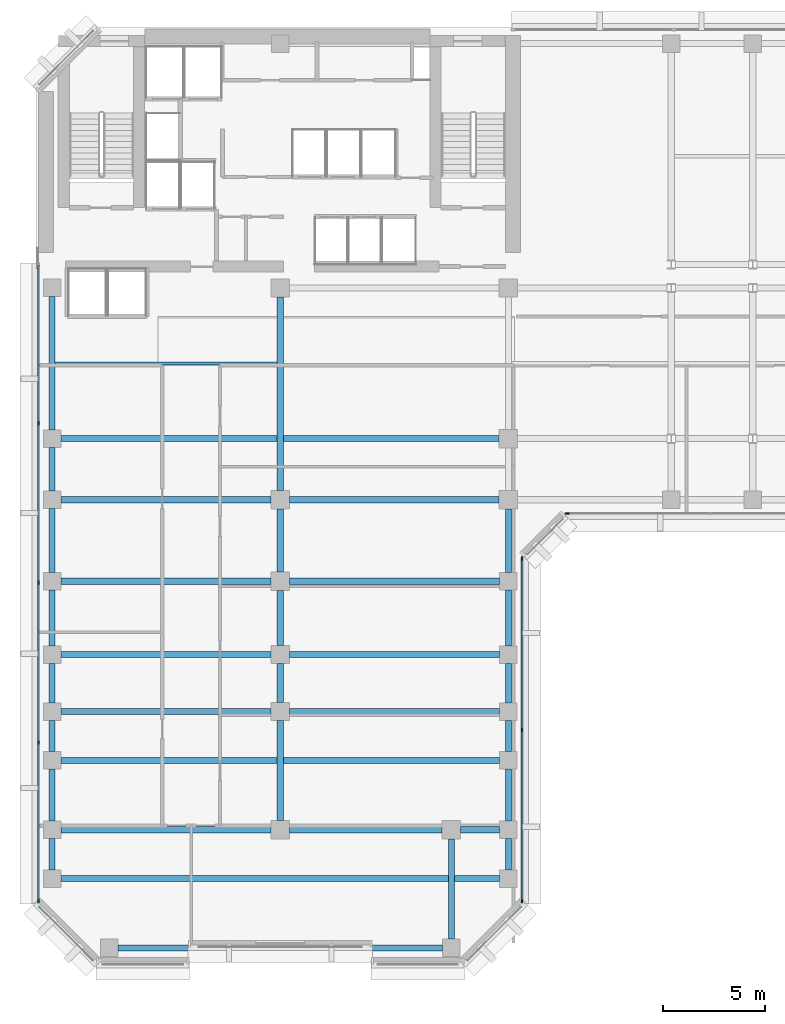
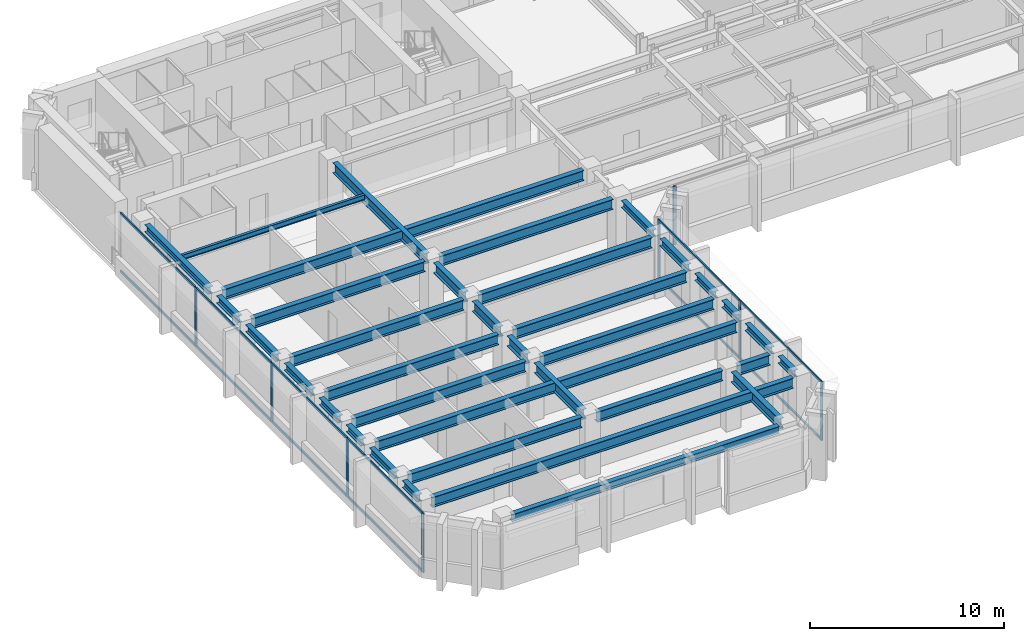
# One storey, part 2 of 11: 36 beams, 20 members, 3 elements without a shape of their own.
"""IFC4 building model written with IfcOpenShell, lengths in metres."""

from ifc_helpers import new_model, si_unit, direction, frame, origin, origin_2d, place, context, subcontext, project, spatial, rectangle, i_section, extrude, material, layer, layer_set, material_profile, profile_set, type_object, element, aggregate, save


model = new_model("IFC4")

# Units and contexts
model_context = context("Model", 3, precision=1e-05, world=origin(), true_north=direction((0.0, 1.0)))
body_context = subcontext(model_context, "Body", "Model", "MODEL_VIEW")
ifc_project = project(units=[si_unit("LENGTHUNIT", "METRE"), si_unit("AREAUNIT", "SQUARE_METRE"), si_unit("VOLUMEUNIT", "CUBIC_METRE"), si_unit("PLANEANGLEUNIT", "RADIAN"), si_unit("MASSUNIT", "GRAM", prefix="KILO")], contexts=[model_context])

# Site, building, storey
site_placement = place(None, origin())
site = spatial("IfcSite", under=ifc_project, at=site_placement, CompositionType="ELEMENT")
building_placement = place(site_placement, origin())
building = spatial("IfcBuilding", under=site, at=building_placement, Name="Kefirva Bronze Tower", CompositionType="ELEMENT")
storey_placement = place(building_placement, frame((0.0, 0.0, 146.85009765625)))
storey = spatial("IfcBuildingStorey", under=building, at=storey_placement, Name="L35", CompositionType="ELEMENT", Elevation=146.85009765625)

# Curtain wall, members
ifc_material_1 = material(Name="Bronze anodised aluminium", Category="aluminium")
ifc_layer = layer(ifc_material_1, 0.199951171875, Name="Bronze anodised aluminium")
ifc_layer_set = layer_set([ifc_layer], Name="Bronze anodised aluminium")
curtain_wall_type = type_object("IfcCurtainWallType", Name="Unitised Bronze Ribbon Curtain Wall Zone 2", PredefinedType="USERDEFINED", material=ifc_layer_set)
curtain_wall_1_placement = place(storey_placement, origin())
curtain_wall_1 = element("IfcCurtainWall", 1, at=curtain_wall_1_placement, inside=storey, type_object=curtain_wall_type, Name="L35 Curtain Wall 1", ObjectType="UNITISED CURTAIN WALL", PredefinedType="USERDEFINED")
ifc_material_profile_1 = material_profile(ifc_material_1, rectangle(XDim=0.074951171875, YDim=0.179931640625, at=origin_2d()), Name="ALU 75x180")
ifc_profile_set_1 = profile_set([ifc_material_profile_1], Name="Bronze anodised aluminium")
member_type_1 = type_object("IfcMemberType", Name="Bronze Mullion 75x180", PredefinedType="MULLION", material=ifc_profile_set_1)
member_1_placement = place(storey_placement, frame((23.8798828125, 3.092529296875, 0.0), z_axis=(0.0, 0.0, 1.0), x_axis=(-1.0, 0.0, 0.0)))
member_1 = element("IfcMember", 2, at=member_1_placement, type_object=member_type_1, Name="CW-02 mullion 1", PredefinedType="MULLION", context=body_context, shape_type="SweptSolid", body=[
    extrude(rectangle(XDim=0.074951171875, YDim=0.179931640625, at=origin_2d()), origin(), (0.0, 0.0, 1.0), 3.7099609375),
])
member_2_placement = place(storey_placement, frame((23.8798828125, 11.5, 0.0), z_axis=(0.0, 0.0, 1.0), x_axis=(-1.0, 0.0, 0.0)))
member_2 = element("IfcMember", 3, at=member_2_placement, type_object=member_type_1, Name="CW-02 mullion 2", PredefinedType="MULLION", context=body_context, shape_type="SweptSolid", body=[
    extrude(rectangle(XDim=0.074951171875, YDim=0.179931640625, at=origin_2d()), origin(), (0.0, 0.0, 1.0), 3.7099609375),
])
member_3_placement = place(storey_placement, frame((23.8798828125, 19.907470703125, 0.0), z_axis=(0.0, 0.0, 1.0), x_axis=(-1.0, 0.0, 0.0)))
member_3 = element("IfcMember", 4, at=member_3_placement, type_object=member_type_1, Name="CW-02 mullion 3", PredefinedType="MULLION", context=body_context, shape_type="SweptSolid", body=[
    extrude(rectangle(XDim=0.074951171875, YDim=0.179931640625, at=origin_2d()), origin(), (0.0, 0.0, 1.0), 3.7099609375),
])

# Curtain wall, member
curtain_wall_2_placement = place(storey_placement, origin())
curtain_wall_2 = element("IfcCurtainWall", 5, at=curtain_wall_2_placement, inside=storey, type_object=curtain_wall_type, Name="L35 Curtain Wall 2", ObjectType="UNITISED CURTAIN WALL", PredefinedType="USERDEFINED")
member_4_placement = place(storey_placement, frame((26.092529296875, 22.1201171875, 0.0), z_axis=(0.0, 0.0, 1.0), x_axis=(0.0, 1.0, 0.0)))
member_4 = element("IfcMember", 6, at=member_4_placement, type_object=member_type_1, Name="CW-02 mullion 1", PredefinedType="MULLION", context=body_context, shape_type="SweptSolid", body=[
    extrude(rectangle(XDim=0.074951171875, YDim=0.179931640625, at=origin_2d()), origin(), (0.0, 0.0, 1.0), 3.7099609375),
])
aggregate(curtain_wall_2, [member_4])

# Curtain wall, members
curtain_wall_3_placement = place(storey_placement, origin())
curtain_wall_3 = element("IfcCurtainWall", 7, at=curtain_wall_3_placement, inside=storey, type_object=curtain_wall_type, Name="L35 Curtain Wall 5", ObjectType="UNITISED CURTAIN WALL", PredefinedType="USERDEFINED")
member_5_placement = place(storey_placement, frame((0.1201171875, 26.56005859375, 0.0), z_axis=(0.0, 0.0, 1.0), x_axis=(1.0, 0.0, 0.0)))
member_5 = element("IfcMember", 8, at=member_5_placement, type_object=member_type_1, Name="CW-02 mullion 2", PredefinedType="MULLION", context=body_context, shape_type="SweptSolid", body=[
    extrude(rectangle(XDim=0.074951171875, YDim=0.179931640625, at=origin_2d()), origin(), (0.0, 0.0, 1.0), 3.7099609375),
])
member_6_placement = place(storey_placement, frame((0.1201171875, 18.72509765625, 0.0), z_axis=(0.0, 0.0, 1.0), x_axis=(1.0, 0.0, 0.0)))
member_6 = element("IfcMember", 9, at=member_6_placement, type_object=member_type_1, Name="CW-02 mullion 3", PredefinedType="MULLION", context=body_context, shape_type="SweptSolid", body=[
    extrude(rectangle(XDim=0.074951171875, YDim=0.179931640625, at=origin_2d()), origin(), (0.0, 0.0, 1.0), 3.7099609375),
])
member_7_placement = place(storey_placement, frame((0.1201171875, 10.889892578125, 0.0), z_axis=(0.0, 0.0, 1.0), x_axis=(1.0, 0.0, 0.0)))
member_7 = element("IfcMember", 10, at=member_7_placement, type_object=member_type_1, Name="CW-02 mullion 4", PredefinedType="MULLION", context=body_context, shape_type="SweptSolid", body=[
    extrude(rectangle(XDim=0.074951171875, YDim=0.179931640625, at=origin_2d()), origin(), (0.0, 0.0, 1.0), 3.7099609375),
])
member_8_placement = place(storey_placement, frame((0.1201171875, 3.092529296875, 0.0), z_axis=(0.0, 0.0, 1.0), x_axis=(1.0, 0.0, 0.0)))
member_8 = element("IfcMember", 11, at=member_8_placement, type_object=member_type_1, Name="CW-02 mullion 5", PredefinedType="MULLION", context=body_context, shape_type="SweptSolid", body=[
    extrude(rectangle(XDim=0.074951171875, YDim=0.179931640625, at=origin_2d()), origin(), (0.0, 0.0, 1.0), 3.7099609375),
])

# Member
ifc_material_profile_2 = material_profile(ifc_material_1, rectangle(XDim=0.074951171875, YDim=0.14990234375, at=origin_2d()), Name="ALU 75x150")
ifc_profile_set_2 = profile_set([ifc_material_profile_2], Name="Bronze anodised aluminium")
member_type_2 = type_object("IfcMemberType", Name="Bronze Transom 75x150", PredefinedType="USERDEFINED", material=ifc_profile_set_2)
member_9_placement = place(storey_placement, frame((23.8798828125, 3.1298828125, 0.037353515625), z_axis=(0.0, 1.0, 0.0), x_axis=(-1.0, 0.0, 0.0)))
member_9 = element("IfcMember", 12, at=member_9_placement, type_object=member_type_2, Name="CW-02 transom 1.1", ObjectType="TRANSOM", PredefinedType="USERDEFINED", context=body_context, shape_type="SweptSolid", body=[
    extrude(rectangle(XDim=0.074951171875, YDim=0.14990234375, at=origin_2d()), origin(), (0.0, 0.0, 1.0), 8.33251953125),
])

member_10_placement = place(storey_placement, frame((23.8798828125, 3.1298828125, 3.67236328125), z_axis=(0.0, 1.0, 0.0), x_axis=(-1.0, 0.0, 0.0)))
member_10 = element("IfcMember", 13, at=member_10_placement, type_object=member_type_2, Name="CW-02 transom 1.2", ObjectType="TRANSOM", PredefinedType="USERDEFINED", context=body_context, shape_type="SweptSolid", body=[
    extrude(rectangle(XDim=0.074951171875, YDim=0.14990234375, at=origin_2d()), origin(), (0.0, 0.0, 1.0), 8.33251953125),
])

member_11_placement = place(storey_placement, frame((23.8798828125, 11.53759765625, 0.037353515625), z_axis=(0.0, 1.0, 0.0), x_axis=(-1.0, 0.0, 0.0)))
member_11 = element("IfcMember", 14, at=member_11_placement, type_object=member_type_2, Name="CW-02 transom 2.1", ObjectType="TRANSOM", PredefinedType="USERDEFINED", context=body_context, shape_type="SweptSolid", body=[
    extrude(rectangle(XDim=0.074951171875, YDim=0.14990234375, at=origin_2d()), origin(), (0.0, 0.0, 1.0), 8.33251953125),
])

member_12_placement = place(storey_placement, frame((23.8798828125, 11.53759765625, 3.67236328125), z_axis=(0.0, 1.0, 0.0), x_axis=(-1.0, 0.0, 0.0)))
member_12 = element("IfcMember", 15, at=member_12_placement, type_object=member_type_2, Name="CW-02 transom 2.2", ObjectType="TRANSOM", PredefinedType="USERDEFINED", context=body_context, shape_type="SweptSolid", body=[
    extrude(rectangle(XDim=0.074951171875, YDim=0.14990234375, at=origin_2d()), origin(), (0.0, 0.0, 1.0), 8.33251953125),
])

aggregate(curtain_wall_1, [member_1, member_2, member_3, member_9, member_10, member_11, member_12])

member_13_placement = place(storey_placement, frame((0.1201171875, 34.320068359375, 0.037353515625), z_axis=(0.0, -1.0, 0.0), x_axis=(1.0, 0.0, 0.0)))
member_13 = element("IfcMember", 16, at=member_13_placement, type_object=member_type_2, Name="CW-02 transom 1.1", ObjectType="TRANSOM", PredefinedType="USERDEFINED", context=body_context, shape_type="SweptSolid", body=[
    extrude(rectangle(XDim=0.074951171875, YDim=0.14990234375, at=origin_2d()), origin(), (0.0, 0.0, 1.0), 7.72265625),
])

member_14_placement = place(storey_placement, frame((0.1201171875, 34.320068359375, 3.67236328125), z_axis=(0.0, -1.0, 0.0), x_axis=(1.0, 0.0, 0.0)))
member_14 = element("IfcMember", 17, at=member_14_placement, type_object=member_type_2, Name="CW-02 transom 1.2", ObjectType="TRANSOM", PredefinedType="USERDEFINED", context=body_context, shape_type="SweptSolid", body=[
    extrude(rectangle(XDim=0.074951171875, YDim=0.14990234375, at=origin_2d()), origin(), (0.0, 0.0, 1.0), 7.72265625),
])

member_15_placement = place(storey_placement, frame((0.1201171875, 26.5224609375, 0.037353515625), z_axis=(0.0, -1.0, 0.0), x_axis=(1.0, 0.0, 0.0)))
member_15 = element("IfcMember", 18, at=member_15_placement, type_object=member_type_2, Name="CW-02 transom 2.1", ObjectType="TRANSOM", PredefinedType="USERDEFINED", context=body_context, shape_type="SweptSolid", body=[
    extrude(rectangle(XDim=0.074951171875, YDim=0.14990234375, at=origin_2d()), origin(), (0.0, 0.0, 1.0), 7.760009765625),
])

member_16_placement = place(storey_placement, frame((0.1201171875, 26.5224609375, 3.67236328125), z_axis=(0.0, -1.0, 0.0), x_axis=(1.0, 0.0, 0.0)))
member_16 = element("IfcMember", 19, at=member_16_placement, type_object=member_type_2, Name="CW-02 transom 2.2", ObjectType="TRANSOM", PredefinedType="USERDEFINED", context=body_context, shape_type="SweptSolid", body=[
    extrude(rectangle(XDim=0.074951171875, YDim=0.14990234375, at=origin_2d()), origin(), (0.0, 0.0, 1.0), 7.760009765625),
])

member_17_placement = place(storey_placement, frame((0.1201171875, 18.6875, 0.037353515625), z_axis=(0.0, -1.0, 0.0), x_axis=(1.0, 0.0, 0.0)))
member_17 = element("IfcMember", 20, at=member_17_placement, type_object=member_type_2, Name="CW-02 transom 3.1", ObjectType="TRANSOM", PredefinedType="USERDEFINED", context=body_context, shape_type="SweptSolid", body=[
    extrude(rectangle(XDim=0.074951171875, YDim=0.14990234375, at=origin_2d()), origin(), (0.0, 0.0, 1.0), 7.760009765625),
])

member_18_placement = place(storey_placement, frame((0.1201171875, 18.6875, 3.67236328125), z_axis=(0.0, -1.0, 0.0), x_axis=(1.0, 0.0, 0.0)))
member_18 = element("IfcMember", 21, at=member_18_placement, type_object=member_type_2, Name="CW-02 transom 3.2", ObjectType="TRANSOM", PredefinedType="USERDEFINED", context=body_context, shape_type="SweptSolid", body=[
    extrude(rectangle(XDim=0.074951171875, YDim=0.14990234375, at=origin_2d()), origin(), (0.0, 0.0, 1.0), 7.760009765625),
])

member_19_placement = place(storey_placement, frame((0.1201171875, 10.8525390625, 0.037353515625), z_axis=(0.0, -1.0, 0.0), x_axis=(1.0, 0.0, 0.0)))
member_19 = element("IfcMember", 22, at=member_19_placement, type_object=member_type_2, Name="CW-02 transom 4.1", ObjectType="TRANSOM", PredefinedType="USERDEFINED", context=body_context, shape_type="SweptSolid", body=[
    extrude(rectangle(XDim=0.074951171875, YDim=0.14990234375, at=origin_2d()), origin(), (0.0, 0.0, 1.0), 7.72265625),
])

member_20_placement = place(storey_placement, frame((0.1201171875, 10.8525390625, 3.67236328125), z_axis=(0.0, -1.0, 0.0), x_axis=(1.0, 0.0, 0.0)))
member_20 = element("IfcMember", 23, at=member_20_placement, type_object=member_type_2, Name="CW-02 transom 4.2", ObjectType="TRANSOM", PredefinedType="USERDEFINED", context=body_context, shape_type="SweptSolid", body=[
    extrude(rectangle(XDim=0.074951171875, YDim=0.14990234375, at=origin_2d()), origin(), (0.0, 0.0, 1.0), 7.72265625),
])

aggregate(curtain_wall_3, [member_5, member_6, member_7, member_8, member_13, member_14, member_15, member_16, member_17, member_18, member_19, member_20])

# Beams
ifc_material_2 = material(Name="Steel S355", Category="steel")
ifc_material_profile_3 = material_profile(ifc_material_2, i_section(OverallWidth=0.159912109375, OverallDepth=0.330078125, WebThickness=0.007568359375, FlangeThickness=0.011474609375, at=origin_2d()), Name="IPE 330")
ifc_profile_set_3 = profile_set([ifc_material_profile_3], Name="Steel S355")
beam_type_1 = type_object("IfcBeamType", Name="Steel Floor Joist IPE 330", PredefinedType="JOIST", material=ifc_profile_set_3)
beam_1_placement = place(storey_placement, frame((0.949951171875, 29.489990234375, 3.544921875), z_axis=(1.0, 0.0, 0.0), x_axis=(0.0, 1.0, 0.0)))
element("IfcBeam", 24, at=beam_1_placement, inside=storey, type_object=beam_type_1, Name="L35 JST-L35-0-294", PredefinedType="JOIST", context=body_context, shape_type="SweptSolid", body=[
    extrude(i_section(OverallWidth=0.159912109375, OverallDepth=0.330078125, WebThickness=0.007568359375, FlangeThickness=0.011474609375, at=origin_2d()), origin(), (0.0, 0.0, 1.0), 10.900146484375),
])
ifc_material_profile_4 = material_profile(ifc_material_2, i_section(OverallWidth=0.300048828125, OverallDepth=0.64990234375, WebThickness=0.01611328125, FlangeThickness=0.031005859375, at=origin_2d()), Name="HEB 650")
ifc_profile_set_4 = profile_set([ifc_material_profile_4], Name="Steel S355")
beam_type_2 = type_object("IfcBeamType", Name="Steel Girder HEB 650", PredefinedType="USERDEFINED", material=ifc_profile_set_4)
beam_2_placement = place(storey_placement, frame((1.22998046875, 4.199951171875, 3.385009765625), z_axis=(1.0, 0.0, 0.0), x_axis=(0.0, 1.0, 0.0)))
element("IfcBeam", 25, at=beam_2_placement, inside=storey, type_object=beam_type_2, Name="L35 BM-L35-EW-0-42", ObjectType="GIRDER", PredefinedType="USERDEFINED", context=body_context, shape_type="SweptSolid", body=[
    extrude(i_section(OverallWidth=0.300048828125, OverallDepth=0.64990234375, WebThickness=0.01611328125, FlangeThickness=0.031005859375, at=origin_2d()), origin(), (0.0, 0.0, 1.0), 21.5400390625),
])
beam_3_placement = place(storey_placement, frame((1.22998046875, 6.60009765625, 3.385009765625), z_axis=(1.0, 0.0, 0.0), x_axis=(0.0, 1.0, 0.0)))
element("IfcBeam", 26, at=beam_3_placement, inside=storey, type_object=beam_type_2, Name="L35 BM-L35-EW-0-66", ObjectType="GIRDER", PredefinedType="USERDEFINED", context=body_context, shape_type="SweptSolid", body=[
    extrude(i_section(OverallWidth=0.300048828125, OverallDepth=0.64990234375, WebThickness=0.01611328125, FlangeThickness=0.031005859375, at=origin_2d()), origin(), (0.0, 0.0, 1.0), 10.320068359375),
])
beam_4_placement = place(storey_placement, frame((12.449951171875, 6.60009765625, 3.385009765625), z_axis=(1.0, 0.0, 0.0), x_axis=(0.0, 1.0, 0.0)))
element("IfcBeam", 27, at=beam_4_placement, inside=storey, type_object=beam_type_2, Name="L35 BM-L35-EW-12-66", ObjectType="GIRDER", PredefinedType="USERDEFINED", context=body_context, shape_type="SweptSolid", body=[
    extrude(i_section(OverallWidth=0.300048828125, OverallDepth=0.64990234375, WebThickness=0.01611328125, FlangeThickness=0.031005859375, at=origin_2d()), origin(), (0.0, 0.0, 1.0), 7.5),
])
beam_5_placement = place(storey_placement, frame((20.85009765625, 6.60009765625, 3.385009765625), z_axis=(1.0, 0.0, 0.0), x_axis=(0.0, 1.0, 0.0)))
element("IfcBeam", 28, at=beam_5_placement, inside=storey, type_object=beam_type_2, Name="L35 BM-L35-EW-20-66", ObjectType="GIRDER", PredefinedType="USERDEFINED", context=body_context, shape_type="SweptSolid", body=[
    extrude(i_section(OverallWidth=0.300048828125, OverallDepth=0.64990234375, WebThickness=0.01611328125, FlangeThickness=0.031005859375, at=origin_2d()), origin(), (0.0, 0.0, 1.0), 1.919921875),
])
beam_6_placement = place(storey_placement, frame((1.22998046875, 10.0, 3.385009765625), z_axis=(1.0, 0.0, 0.0), x_axis=(0.0, 1.0, 0.0)))
element("IfcBeam", 29, at=beam_6_placement, inside=storey, type_object=beam_type_2, Name="L35 BM-L35-EW-0-100", ObjectType="GIRDER", PredefinedType="USERDEFINED", context=body_context, shape_type="SweptSolid", body=[
    extrude(i_section(OverallWidth=0.300048828125, OverallDepth=0.64990234375, WebThickness=0.01611328125, FlangeThickness=0.031005859375, at=origin_2d()), origin(), (0.0, 0.0, 1.0), 21.5400390625),
])
for number, where, z_axis, x_axis, name in (
    (30, (1.22998046875, 12.39990234375, 3.385009765625), (1.0, 0.0, 0.0), (0.0, 1.0, 0.0), "L35 BM-L35-EW-0-124"),
    (31, (12.449951171875, 12.39990234375, 3.385009765625), (1.0, 0.0, 0.0), (0.0, 1.0, 0.0), "L35 BM-L35-EW-12-124"),
    (32, (1.22998046875, 15.199951171875, 3.385009765625), (1.0, 0.0, 0.0), (0.0, 1.0, 0.0), "L35 BM-L35-EW-0-152"),
    (33, (12.449951171875, 15.199951171875, 3.385009765625), (1.0, 0.0, 0.0), (0.0, 1.0, 0.0), "L35 BM-L35-EW-12-152"),
    (34, (1.22998046875, 18.800048828125, 3.385009765625), (1.0, 0.0, 0.0), (0.0, 1.0, 0.0), "L35 BM-L35-EW-0-188"),
    (35, (12.449951171875, 18.800048828125, 3.385009765625), (1.0, 0.0, 0.0), (0.0, 1.0, 0.0), "L35 BM-L35-EW-12-188"),
    (36, (1.22998046875, 22.800048828125, 3.385009765625), (1.0, 0.0, 0.0), (0.0, 1.0, 0.0), "L35 BM-L35-EW-0-228"),
):
    element("IfcBeam", number, at=place(storey_placement, frame(where, z_axis=z_axis, x_axis=x_axis)), inside=storey, type_object=beam_type_2, Name=name, ObjectType="GIRDER", PredefinedType="USERDEFINED", context=body_context, shape_type="SweptSolid", body=[
        extrude(i_section(OverallWidth=0.300048828125, OverallDepth=0.64990234375, WebThickness=0.01611328125, FlangeThickness=0.031005859375, at=origin_2d()), origin(), (0.0, 0.0, 1.0), 10.320068359375),
    ])
beam_7_placement = place(storey_placement, frame((12.449951171875, 22.800048828125, 3.385009765625), z_axis=(1.0, 0.0, 0.0), x_axis=(0.0, 1.0, 0.0)))
element("IfcBeam", 37, at=beam_7_placement, inside=storey, type_object=beam_type_2, Name="L35 BM-L35-EW-12-228", ObjectType="GIRDER", PredefinedType="USERDEFINED", context=body_context, shape_type="SweptSolid", body=[
    extrude(i_section(OverallWidth=0.300048828125, OverallDepth=0.64990234375, WebThickness=0.01611328125, FlangeThickness=0.031005859375, at=origin_2d()), origin(), (0.0, 0.0, 1.0), 10.300048828125),
])
beam_8_placement = place(storey_placement, frame((1.22998046875, 25.800048828125, 3.385009765625), z_axis=(1.0, 0.0, 0.0), x_axis=(0.0, 1.0, 0.0)))
element("IfcBeam", 38, at=beam_8_placement, inside=storey, type_object=beam_type_2, Name="L35 BM-L35-EW-0-258", ObjectType="GIRDER", PredefinedType="USERDEFINED", context=body_context, shape_type="SweptSolid", body=[
    extrude(i_section(OverallWidth=0.300048828125, OverallDepth=0.64990234375, WebThickness=0.01611328125, FlangeThickness=0.031005859375, at=origin_2d()), origin(), (0.0, 0.0, 1.0), 21.52001953125),
])
beam_9_placement = place(storey_placement, frame((12.0, 7.050048828125, 3.385009765625), z_axis=(0.0, 1.0, 0.0), x_axis=(-1.0, 0.0, 0.0)))
element("IfcBeam", 39, at=beam_9_placement, inside=storey, type_object=beam_type_2, Name="L35 BM-L35-NS-120-6", ObjectType="GIRDER", PredefinedType="USERDEFINED", context=body_context, shape_type="SweptSolid", body=[
    extrude(i_section(OverallWidth=0.300048828125, OverallDepth=0.64990234375, WebThickness=0.01611328125, FlangeThickness=0.031005859375, at=origin_2d()), origin(), (0.0, 0.0, 1.0), 4.89990234375),
])
beam_10_placement = place(storey_placement, frame((12.0, 12.85009765625, 3.385009765625), z_axis=(0.0, 1.0, 0.0), x_axis=(-1.0, 0.0, 0.0)))
element("IfcBeam", 40, at=beam_10_placement, inside=storey, type_object=beam_type_2, Name="L35 BM-L35-NS-120-12", ObjectType="GIRDER", PredefinedType="USERDEFINED", context=body_context, shape_type="SweptSolid", body=[
    extrude(i_section(OverallWidth=0.300048828125, OverallDepth=0.64990234375, WebThickness=0.01611328125, FlangeThickness=0.031005859375, at=origin_2d()), origin(), (0.0, 0.0, 1.0), 1.89990234375),
])
beam_11_placement = place(storey_placement, frame((12.0, 15.64990234375, 3.385009765625), z_axis=(0.0, 1.0, 0.0), x_axis=(-1.0, 0.0, 0.0)))
element("IfcBeam", 41, at=beam_11_placement, inside=storey, type_object=beam_type_2, Name="L35 BM-L35-NS-120-15", ObjectType="GIRDER", PredefinedType="USERDEFINED", context=body_context, shape_type="SweptSolid", body=[
    extrude(i_section(OverallWidth=0.300048828125, OverallDepth=0.64990234375, WebThickness=0.01611328125, FlangeThickness=0.031005859375, at=origin_2d()), origin(), (0.0, 0.0, 1.0), 2.7001953125),
])
beam_12_placement = place(storey_placement, frame((12.0, 19.25, 3.385009765625), z_axis=(0.0, 1.0, 0.0), x_axis=(-1.0, 0.0, 0.0)))
element("IfcBeam", 42, at=beam_12_placement, inside=storey, type_object=beam_type_2, Name="L35 BM-L35-NS-120-18", ObjectType="GIRDER", PredefinedType="USERDEFINED", context=body_context, shape_type="SweptSolid", body=[
    extrude(i_section(OverallWidth=0.300048828125, OverallDepth=0.64990234375, WebThickness=0.01611328125, FlangeThickness=0.031005859375, at=origin_2d()), origin(), (0.0, 0.0, 1.0), 3.10009765625),
])
beam_13_placement = place(storey_placement, frame((12.0, 23.25, 3.385009765625), z_axis=(0.0, 1.0, 0.0), x_axis=(-1.0, 0.0, 0.0)))
element("IfcBeam", 43, at=beam_13_placement, inside=storey, type_object=beam_type_2, Name="L35 BM-L35-NS-120-22", ObjectType="GIRDER", PredefinedType="USERDEFINED", context=body_context, shape_type="SweptSolid", body=[
    extrude(i_section(OverallWidth=0.300048828125, OverallDepth=0.64990234375, WebThickness=0.01611328125, FlangeThickness=0.031005859375, at=origin_2d()), origin(), (0.0, 0.0, 1.0), 9.5),
])
beam_14_placement = place(storey_placement, frame((20.39990234375, 1.22998046875, 3.385009765625), z_axis=(0.0, 1.0, 0.0), x_axis=(-1.0, 0.0, 0.0)))
element("IfcBeam", 44, at=beam_14_placement, inside=storey, type_object=beam_type_2, Name="L35 BM-L35-NS-204-0", ObjectType="GIRDER", PredefinedType="USERDEFINED", context=body_context, shape_type="SweptSolid", body=[
    extrude(i_section(OverallWidth=0.300048828125, OverallDepth=0.64990234375, WebThickness=0.01611328125, FlangeThickness=0.031005859375, at=origin_2d()), origin(), (0.0, 0.0, 1.0), 4.919921875),
])
ifc_material_profile_5 = material_profile(ifc_material_2, i_section(OverallWidth=0.300048828125, OverallDepth=0.449951171875, WebThickness=0.013916015625, FlangeThickness=0.02587890625, at=origin_2d()), Name="HEB 450")
ifc_profile_set_5 = profile_set([ifc_material_profile_5], Name="Steel S355")
beam_type_3 = type_object("IfcBeamType", Name="Steel Spandrel HEB 450 Ext", PredefinedType="SPANDREL", material=ifc_profile_set_5)
beam_15_placement = place(storey_placement, frame((4.030029296875, 0.800048828125, 3.48486328125), z_axis=(1.0, 0.0, 0.0), x_axis=(0.0, 1.0, 0.0)))
element("IfcBeam", 45, at=beam_15_placement, inside=storey, type_object=beam_type_3, Name="L35 BM-L35-EW-3-8", PredefinedType="SPANDREL", context=body_context, shape_type="SweptSolid", body=[
    extrude(i_section(OverallWidth=0.300048828125, OverallDepth=0.449951171875, WebThickness=0.013916015625, FlangeThickness=0.02587890625, at=origin_2d()), origin(), (0.0, 0.0, 1.0), 15.93994140625),
])
beam_16_placement = place(storey_placement, frame((0.800048828125, 4.6298828125, 3.48486328125), z_axis=(0.0, 1.0, 0.0), x_axis=(-1.0, 0.0, 0.0)))
element("IfcBeam", 46, at=beam_16_placement, inside=storey, type_object=beam_type_3, Name="L35 BM-L35-NS-8-4", PredefinedType="SPANDREL", context=body_context, shape_type="SweptSolid", body=[
    extrude(i_section(OverallWidth=0.300048828125, OverallDepth=0.449951171875, WebThickness=0.013916015625, FlangeThickness=0.02587890625, at=origin_2d()), origin(), (0.0, 0.0, 1.0), 1.5400390625),
])
beam_17_placement = place(storey_placement, frame((0.800048828125, 7.030029296875, 3.48486328125), z_axis=(0.0, 1.0, 0.0), x_axis=(-1.0, 0.0, 0.0)))
element("IfcBeam", 47, at=beam_17_placement, inside=storey, type_object=beam_type_3, Name="L35 BM-L35-NS-8-6", PredefinedType="SPANDREL", context=body_context, shape_type="SweptSolid", body=[
    extrude(i_section(OverallWidth=0.300048828125, OverallDepth=0.449951171875, WebThickness=0.013916015625, FlangeThickness=0.02587890625, at=origin_2d()), origin(), (0.0, 0.0, 1.0), 2.5400390625),
])
beam_18_placement = place(storey_placement, frame((0.800048828125, 10.429931640625, 3.48486328125), z_axis=(0.0, 1.0, 0.0), x_axis=(-1.0, 0.0, 0.0)))
element("IfcBeam", 48, at=beam_18_placement, inside=storey, type_object=beam_type_3, Name="L35 BM-L35-NS-8-10", PredefinedType="SPANDREL", context=body_context, shape_type="SweptSolid", body=[
    extrude(i_section(OverallWidth=0.300048828125, OverallDepth=0.449951171875, WebThickness=0.013916015625, FlangeThickness=0.02587890625, at=origin_2d()), origin(), (0.0, 0.0, 1.0), 1.5400390625),
])
beam_19_placement = place(storey_placement, frame((0.800048828125, 12.830078125, 3.48486328125), z_axis=(0.0, 1.0, 0.0), x_axis=(-1.0, 0.0, 0.0)))
element("IfcBeam", 49, at=beam_19_placement, inside=storey, type_object=beam_type_3, Name="L35 BM-L35-NS-8-12", PredefinedType="SPANDREL", context=body_context, shape_type="SweptSolid", body=[
    extrude(i_section(OverallWidth=0.300048828125, OverallDepth=0.449951171875, WebThickness=0.013916015625, FlangeThickness=0.02587890625, at=origin_2d()), origin(), (0.0, 0.0, 1.0), 1.93994140625),
])
beam_20_placement = place(storey_placement, frame((0.800048828125, 15.6298828125, 3.48486328125), z_axis=(0.0, 1.0, 0.0), x_axis=(-1.0, 0.0, 0.0)))
element("IfcBeam", 50, at=beam_20_placement, inside=storey, type_object=beam_type_3, Name="L35 BM-L35-NS-8-15", PredefinedType="SPANDREL", context=body_context, shape_type="SweptSolid", body=[
    extrude(i_section(OverallWidth=0.300048828125, OverallDepth=0.449951171875, WebThickness=0.013916015625, FlangeThickness=0.02587890625, at=origin_2d()), origin(), (0.0, 0.0, 1.0), 2.740234375),
])
beam_21_placement = place(storey_placement, frame((0.800048828125, 19.22998046875, 3.48486328125), z_axis=(0.0, 1.0, 0.0), x_axis=(-1.0, 0.0, 0.0)))
element("IfcBeam", 51, at=beam_21_placement, inside=storey, type_object=beam_type_3, Name="L35 BM-L35-NS-8-18", PredefinedType="SPANDREL", context=body_context, shape_type="SweptSolid", body=[
    extrude(i_section(OverallWidth=0.300048828125, OverallDepth=0.449951171875, WebThickness=0.013916015625, FlangeThickness=0.02587890625, at=origin_2d()), origin(), (0.0, 0.0, 1.0), 3.14013671875),
])
beam_22_placement = place(storey_placement, frame((0.800048828125, 23.22998046875, 3.48486328125), z_axis=(0.0, 1.0, 0.0), x_axis=(-1.0, 0.0, 0.0)))
element("IfcBeam", 52, at=beam_22_placement, inside=storey, type_object=beam_type_3, Name="L35 BM-L35-NS-8-22", PredefinedType="SPANDREL", context=body_context, shape_type="SweptSolid", body=[
    extrude(i_section(OverallWidth=0.300048828125, OverallDepth=0.449951171875, WebThickness=0.013916015625, FlangeThickness=0.02587890625, at=origin_2d()), origin(), (0.0, 0.0, 1.0), 2.14013671875),
])
beam_23_placement = place(storey_placement, frame((0.800048828125, 26.22998046875, 3.48486328125), z_axis=(0.0, 1.0, 0.0), x_axis=(-1.0, 0.0, 0.0)))
element("IfcBeam", 53, at=beam_23_placement, inside=storey, type_object=beam_type_3, Name="L35 BM-L35-NS-8-25", PredefinedType="SPANDREL", context=body_context, shape_type="SweptSolid", body=[
    extrude(i_section(OverallWidth=0.300048828125, OverallDepth=0.449951171875, WebThickness=0.013916015625, FlangeThickness=0.02587890625, at=origin_2d()), origin(), (0.0, 0.0, 1.0), 6.5400390625),
])
beam_24_placement = place(storey_placement, frame((23.199951171875, 4.6298828125, 3.48486328125), z_axis=(0.0, 1.0, 0.0), x_axis=(-1.0, 0.0, 0.0)))
element("IfcBeam", 54, at=beam_24_placement, inside=storey, type_object=beam_type_3, Name="L35 BM-L35-NS-232-4", PredefinedType="SPANDREL", context=body_context, shape_type="SweptSolid", body=[
    extrude(i_section(OverallWidth=0.300048828125, OverallDepth=0.449951171875, WebThickness=0.013916015625, FlangeThickness=0.02587890625, at=origin_2d()), origin(), (0.0, 0.0, 1.0), 1.5400390625),
])
beam_25_placement = place(storey_placement, frame((23.199951171875, 7.030029296875, 3.48486328125), z_axis=(0.0, 1.0, 0.0), x_axis=(-1.0, 0.0, 0.0)))
element("IfcBeam", 55, at=beam_25_placement, inside=storey, type_object=beam_type_3, Name="L35 BM-L35-NS-232-6", PredefinedType="SPANDREL", context=body_context, shape_type="SweptSolid", body=[
    extrude(i_section(OverallWidth=0.300048828125, OverallDepth=0.449951171875, WebThickness=0.013916015625, FlangeThickness=0.02587890625, at=origin_2d()), origin(), (0.0, 0.0, 1.0), 2.5400390625),
])
beam_26_placement = place(storey_placement, frame((23.199951171875, 10.429931640625, 3.48486328125), z_axis=(0.0, 1.0, 0.0), x_axis=(-1.0, 0.0, 0.0)))
element("IfcBeam", 56, at=beam_26_placement, inside=storey, type_object=beam_type_3, Name="L35 BM-L35-NS-232-10", PredefinedType="SPANDREL", context=body_context, shape_type="SweptSolid", body=[
    extrude(i_section(OverallWidth=0.300048828125, OverallDepth=0.449951171875, WebThickness=0.013916015625, FlangeThickness=0.02587890625, at=origin_2d()), origin(), (0.0, 0.0, 1.0), 1.5400390625),
])
beam_27_placement = place(storey_placement, frame((23.199951171875, 12.830078125, 3.48486328125), z_axis=(0.0, 1.0, 0.0), x_axis=(-1.0, 0.0, 0.0)))
element("IfcBeam", 57, at=beam_27_placement, inside=storey, type_object=beam_type_3, Name="L35 BM-L35-NS-232-12", PredefinedType="SPANDREL", context=body_context, shape_type="SweptSolid", body=[
    extrude(i_section(OverallWidth=0.300048828125, OverallDepth=0.449951171875, WebThickness=0.013916015625, FlangeThickness=0.02587890625, at=origin_2d()), origin(), (0.0, 0.0, 1.0), 1.93994140625),
])
beam_28_placement = place(storey_placement, frame((23.199951171875, 15.6298828125, 3.48486328125), z_axis=(0.0, 1.0, 0.0), x_axis=(-1.0, 0.0, 0.0)))
element("IfcBeam", 58, at=beam_28_placement, inside=storey, type_object=beam_type_3, Name="L35 BM-L35-NS-232-15", PredefinedType="SPANDREL", context=body_context, shape_type="SweptSolid", body=[
    extrude(i_section(OverallWidth=0.300048828125, OverallDepth=0.449951171875, WebThickness=0.013916015625, FlangeThickness=0.02587890625, at=origin_2d()), origin(), (0.0, 0.0, 1.0), 2.740234375),
])
beam_29_placement = place(storey_placement, frame((23.199951171875, 19.22998046875, 3.48486328125), z_axis=(0.0, 1.0, 0.0), x_axis=(-1.0, 0.0, 0.0)))
element("IfcBeam", 59, at=beam_29_placement, inside=storey, type_object=beam_type_3, Name="L35 BM-L35-NS-232-18", PredefinedType="SPANDREL", context=body_context, shape_type="SweptSolid", body=[
    extrude(i_section(OverallWidth=0.300048828125, OverallDepth=0.449951171875, WebThickness=0.013916015625, FlangeThickness=0.02587890625, at=origin_2d()), origin(), (0.0, 0.0, 1.0), 3.1201171875),
])

save(model, "model.ifc")
